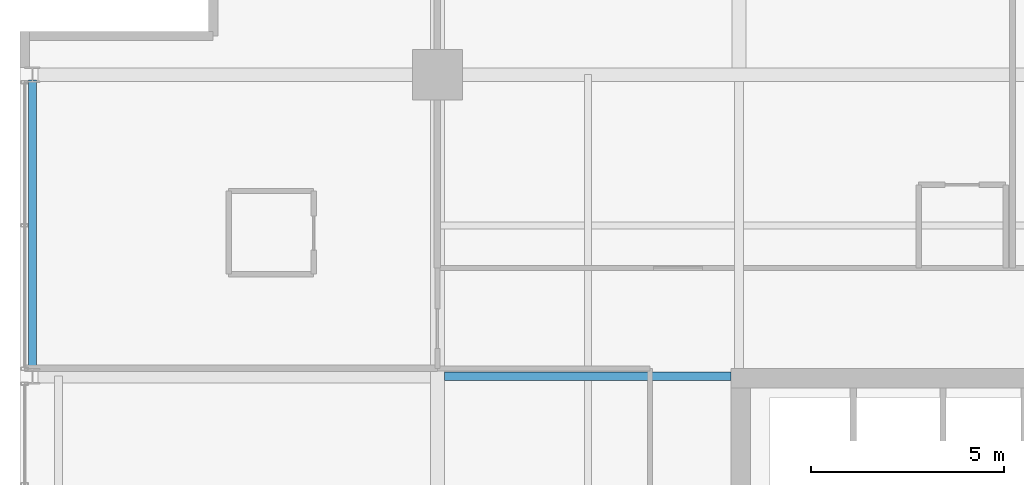
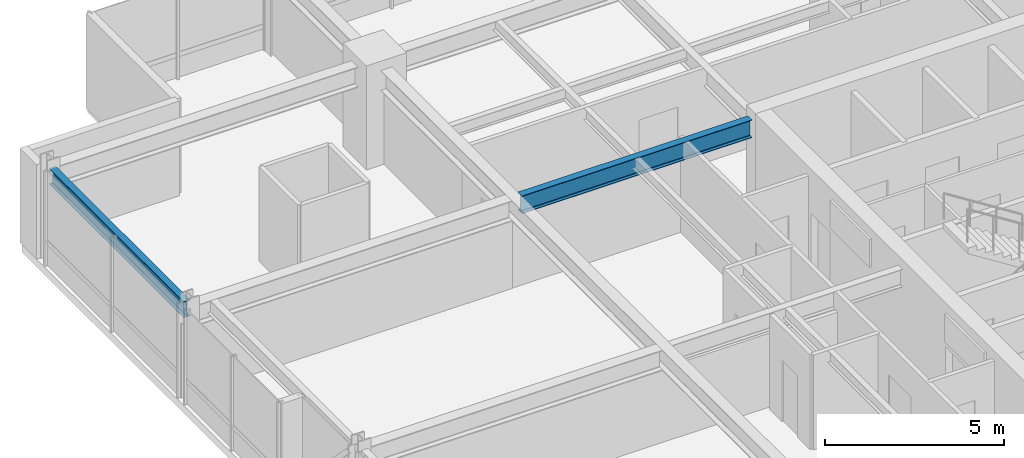
# One storey, part 17 of 33: 2 beams.
"""IFC4 building model written with IfcOpenShell, lengths in metres."""

import ifcopenshell
import ifcopenshell.guid

model = None  # the IFC model being written
_history = None  # IfcOwnerHistory: only IFC2X3 demands one
_inside = {}  # id of a spatial element -> (the spatial element, [elements in it])
_under = {}  # id of a project, library or spatial element -> (it, [spatial elements below it])
_declared = {}  # id of a project -> (the project, [libraries it declares])
_typed = {}  # id of a type object -> (the type object, [elements of that type])
_made_of = {}  # id of a material, layer set ... -> (it, [elements and type objects made of it])


def new_model(schema):
    """Start an empty IFC model of exactly this schema.

    Asked for "IFC4X3", IfcOpenShell would pick the latest addendum, in which some entities
    have other attributes; the version numbers below select the first issue.
    IFC2X3 requires an IfcOwnerHistory on every rooted entity: one is made here for all.
    """
    global model, _history
    if schema == "IFC4X3":
        model = ifcopenshell.file(schema_version=(4, 3, 0, 0))
    else:
        model = ifcopenshell.file(schema=schema)
    _inside.clear()
    _under.clear()
    _declared.clear()
    _typed.clear()
    _made_of.clear()
    _history = None
    if model.schema == "IFC2X3":
        org = make("IfcOrganization", Name="unknown")
        user = make(
            "IfcPersonAndOrganization",
            ThePerson=make("IfcPerson", FamilyName="unknown"),
            TheOrganization=org,
        )
        app = make(
            "IfcApplication",
            ApplicationDeveloper=org,
            Version="unknown",
            ApplicationFullName="unknown",
            ApplicationIdentifier="unknown",
        )
        _history = make(
            "IfcOwnerHistory",
            OwningUser=user,
            OwningApplication=app,
            ChangeAction="ADDED",
            CreationDate=0,
        )
    return model


def make(cls, **values):
    """One entity of the class cls with the attributes given. An attribute that is None is left unset."""
    return model.create_entity(
        cls, **{name: value for name, value in values.items() if value is not None}
    )


def rooted(cls, **values):
    """An entity with a GlobalId (a new one), such as an element, a storey or a relation."""
    return make(cls, GlobalId=ifcopenshell.guid.new(), OwnerHistory=_history, **values)


def si_unit(unit_type, name, prefix=None):
    """IfcSIUnit, for example si_unit("LENGTHUNIT", "METRE", prefix="MILLI")."""
    return make("IfcSIUnit", UnitType=unit_type, Prefix=prefix, Name=name)


def assignment(units):
    """IfcUnitAssignment: the units of a project."""
    return None if units is None else make("IfcUnitAssignment", Units=units)


def point(xyz):
    """IfcCartesianPoint."""
    return None if xyz is None else make("IfcCartesianPoint", Coordinates=xyz)


def direction(xyz):
    """IfcDirection."""
    return None if xyz is None else make("IfcDirection", DirectionRatios=xyz)


def frame(location, z_axis=None, x_axis=None):
    """IfcAxis2Placement3D, a coordinate frame: its origin and axes. An axis left out is left unset."""
    return make(
        "IfcAxis2Placement3D",
        Location=point(location),
        Axis=direction(z_axis),
        RefDirection=direction(x_axis),
    )


def frame_2d(location, x_axis=None):
    """IfcAxis2Placement2D, a coordinate frame in the plane: its origin and x axis."""
    return make(
        "IfcAxis2Placement2D", Location=point(location), RefDirection=direction(x_axis)
    )


def origin():
    """The frame at (0, 0, 0) with its axes left unset."""
    return frame((0.0, 0.0, 0.0))


def origin_2d():
    """The frame at (0, 0) in the plane with its x axis left unset."""
    return frame_2d((0.0, 0.0))


def place(relative_to, where):
    """IfcLocalPlacement: puts the frame where relative to a parent placement (None: the world)."""
    return make(
        "IfcLocalPlacement", PlacementRelTo=relative_to, RelativePlacement=where
    )


def context(
    kind, dimensions, precision=None, world=None, true_north=None, identifier=None
):
    """IfcGeometricRepresentationContext, for example the 3D "Model" context."""
    return make(
        "IfcGeometricRepresentationContext",
        ContextIdentifier=identifier,
        ContextType=kind,
        CoordinateSpaceDimension=dimensions,
        Precision=precision,
        WorldCoordinateSystem=world,
        TrueNorth=true_north,
    )


def subcontext(parent, identifier, kind, view, scale=None):
    """IfcGeometricRepresentationSubContext, for example "Body" below "Model"."""
    return make(
        "IfcGeometricRepresentationSubContext",
        ContextIdentifier=identifier,
        ContextType=kind,
        ParentContext=parent,
        TargetScale=scale,
        TargetView=view,
    )


def project(units=None, contexts=None):
    """IfcProject with its units and contexts."""
    return rooted(
        "IfcProject",
        Name="project",
        RepresentationContexts=contexts,
        UnitsInContext=assignment(units),
    )


def spatial(cls, under=None, at=None, **own):
    """A site, building, storey or space (cls), placed at a placement, below another one or the project."""
    s = rooted(cls, ObjectPlacement=at, **own)
    if under is not None:
        _under.setdefault(under.id(), (under, []))[1].append(s)
    return s


def profile(cls, at=None, kind="AREA", **sizes):
    """A parametric profile (cls). Its sizes go by their IFC names, for example OverallWidth=200.0."""
    return make(cls, ProfileType=kind, Position=at, **sizes)


def i_section(**sizes):
    """IfcIShapeProfileDef."""
    return profile("IfcIShapeProfileDef", **sizes)


def extrude(swept, where, along, depth):
    """IfcExtrudedAreaSolid: the profile swept, set in the frame where, extruded along a direction by depth."""
    return make(
        "IfcExtrudedAreaSolid",
        SweptArea=swept,
        Position=where,
        ExtrudedDirection=direction(along),
        Depth=depth,
    )


def shape(context_of_items, identifier, shape_type, items):
    """IfcShapeRepresentation: the items that make up one representation, for example the "Body"."""
    return make(
        "IfcShapeRepresentation",
        ContextOfItems=context_of_items,
        RepresentationIdentifier=identifier,
        RepresentationType=shape_type,
        Items=items,
    )


def material(Name=None, Category=None):
    """IfcMaterial."""
    return make("IfcMaterial", Name=Name, Category=Category)


def material_profile(
    of_material, cross_section, Name=None, Category=None, Priority=None
):
    """IfcMaterialProfile: a cross section and its material."""
    return make(
        "IfcMaterialProfile",
        Name=Name,
        Material=of_material,
        Profile=cross_section,
        Priority=Priority,
        Category=Category,
    )


def profile_set(profiles, Name=None, composite=None):
    """IfcMaterialProfileSet."""
    return make(
        "IfcMaterialProfileSet",
        Name=Name,
        MaterialProfiles=profiles,
        CompositeProfile=composite,
    )


def made_of(thing, what):
    """Note that an element or type object is made of a material, layer set ...; save() writes the relation."""
    if what is not None:
        _made_of.setdefault(what.id(), (what, []))[1].append(thing)
    return thing


def type_object(cls, material=None, **own):
    """A type object (cls), such as IfcWallType, which elements share."""
    return made_of(rooted(cls, **own), material)


def element(
    cls,
    number,
    at=None,
    inside=None,
    cuts=None,
    type_object=None,
    material=None,
    context=None,
    identifier="Body",
    shape_type=None,
    held_by="IfcProductDefinitionShape",
    body=None,
    shapes=None,
    **own,
):
    """One element of the class cls, such as IfcWall. Its Tag is "e" and its number.

    at: its placement. inside: the storey or other place that contains it. cuts: it is an
    opening in that element (IfcRelVoidsElement). A single representation is given by context,
    identifier, shape_type and body (its items); several are given by shapes. held_by: the class
    of the entity that holds the representations. save() writes the other relations.
    """
    e = rooted(cls, Tag="e%d" % number, ObjectPlacement=at, **own)
    if body is not None:
        shapes = [shape(context, identifier, shape_type, body)]
    if shapes is not None:
        e.Representation = make(held_by, Representations=shapes)
    if inside is not None:
        _inside.setdefault(inside.id(), (inside, []))[1].append(e)
    if cuts is not None:
        rooted(
            "IfcRelVoidsElement", RelatingBuildingElement=cuts, RelatedOpeningElement=e
        )
    if type_object is not None:
        _typed.setdefault(type_object.id(), (type_object, []))[1].append(e)
    return made_of(e, material)


def aggregate(whole, parts):
    """IfcRelAggregates: a whole, such as a stair, and the parts it consists of."""
    return rooted("IfcRelAggregates", RelatingObject=whole, RelatedObjects=parts)


def save(model, path):
    """Write the relations noted so far, then the file.

    IfcRelAggregates (storeys below a building ...), IfcRelContainedInSpatialStructure (elements
    in a storey), IfcRelDefinesByType, IfcRelAssociatesMaterial and IfcRelDeclares: one each for
    every whole, place, type object, material and project.
    """
    for whole, parts in _under.values():
        aggregate(whole, parts)
    for where, things in _inside.values():
        rooted(
            "IfcRelContainedInSpatialStructure",
            RelatedElements=things,
            RelatingStructure=where,
        )
    for kind, things in _typed.values():
        rooted("IfcRelDefinesByType", RelatedObjects=things, RelatingType=kind)
    for what, things in _made_of.values():
        rooted("IfcRelAssociatesMaterial", RelatedObjects=things, RelatingMaterial=what)
    for by, libraries in _declared.values():
        rooted("IfcRelDeclares", RelatingContext=by, RelatedDefinitions=libraries)
    model.write(path)


model = new_model("IFC4")

# Units and contexts
model_context = context("Model", 3, precision=1e-05, world=origin(), true_north=direction((0.0, 1.0)))
body_context = subcontext(model_context, "Body", "Model", "MODEL_VIEW")
ifc_project = project(units=[si_unit("LENGTHUNIT", "METRE"), si_unit("AREAUNIT", "SQUARE_METRE"), si_unit("VOLUMEUNIT", "CUBIC_METRE"), si_unit("PLANEANGLEUNIT", "RADIAN"), si_unit("MASSUNIT", "GRAM", prefix="KILO")], contexts=[model_context])

# Site, building, storey
site_placement = place(None, origin())
site = spatial("IfcSite", under=ifc_project, at=site_placement, CompositionType="ELEMENT")
building_placement = place(site_placement, origin())
building = spatial("IfcBuilding", under=site, at=building_placement, Name="Drelvath Grand Hotel", CompositionType="ELEMENT")
storey_placement = place(building_placement, frame((0.0, 0.0, 196.550048828125)))
storey = spatial("IfcBuildingStorey", under=building, at=storey_placement, Name="L51", CompositionType="ELEMENT", Elevation=196.550048828125)

# Beams
ifc_material = material(Name="Steel ASTM A992 Gr 50", Category="steel")
ifc_material_profile_1 = material_profile(ifc_material, i_section(OverallWidth=0.210205078125, OverallDepth=0.53662109375, WebThickness=0.010986328125, FlangeThickness=0.017333984375, FilletRadius=0.01806640625, at=origin_2d()), Name="W21X68")
ifc_profile_set_1 = profile_set([ifc_material_profile_1], Name="Steel ASTM A992 Gr 50")
beam_type_1 = type_object("IfcBeamType", Name="Perimeter Spandrel Beam W21X68", PredefinedType="SPANDREL", material=ifc_profile_set_1)
beam_1_placement = place(storey_placement, frame((-26.679931640625, 35.5400390625, 2.961669921875), z_axis=(0.0, 1.0, 0.0), x_axis=(-1.0, 0.0, 0.0)))
element("IfcBeam", 1, at=beam_1_placement, inside=storey, type_object=beam_type_1, Name="L51 Spandrel West N", PredefinedType="SPANDREL", context=body_context, shape_type="SweptSolid", body=[
    extrude(i_section(OverallWidth=0.210205078125, OverallDepth=0.53662109375, WebThickness=0.010986328125, FlangeThickness=0.017333984375, FilletRadius=0.01806640625, at=origin_2d()), origin(), (0.0, 0.0, 1.0), 7.52001953125),
])
ifc_material_profile_2 = material_profile(ifc_material, i_section(OverallWidth=0.228271484375, OverallDepth=0.607666015625, WebThickness=0.01123046875, FlangeThickness=0.017333984375, FilletRadius=0.02001953125, at=origin_2d()), Name="W24X76")
ifc_profile_set_2 = profile_set([ifc_material_profile_2], Name="Steel ASTM A992 Gr 50")
beam_type_2 = type_object("IfcBeamType", Name="Primary Floor Girder W24X76", PredefinedType="BEAM", material=ifc_profile_set_2)
beam_2_placement = place(storey_placement, frame((-16.022705078125, 35.39990234375, 2.92626953125), z_axis=(1.0, 0.0, 0.0), x_axis=(0.0, 1.0, 0.0)))
element("IfcBeam", 2, at=beam_2_placement, inside=storey, type_object=beam_type_2, Name="L51 West Core Tie F", PredefinedType="BEAM", context=body_context, shape_type="SweptSolid", body=[
    extrude(i_section(OverallWidth=0.228271484375, OverallDepth=0.607666015625, WebThickness=0.01123046875, FlangeThickness=0.017333984375, FilletRadius=0.02001953125, at=origin_2d()), origin(), (0.0, 0.0, 1.0), 7.422607421875),
])

save(model, "model.ifc")
